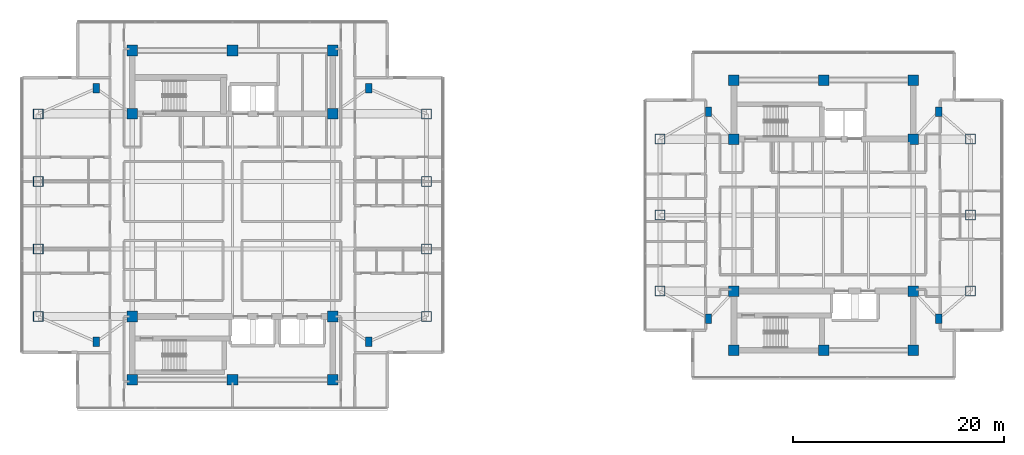
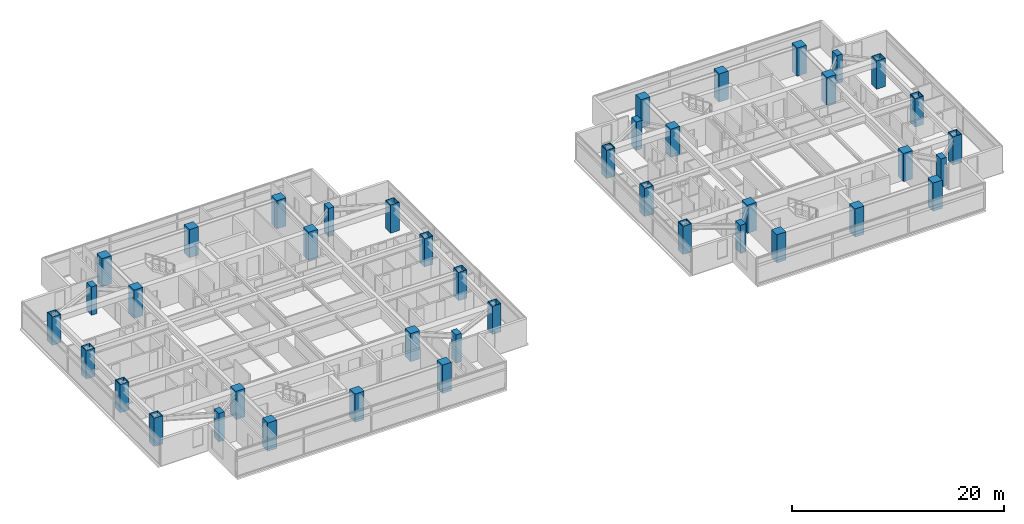
# One storey, part 1 of 24: 42 columns.
"""IFC4 building model written with IfcOpenShell, lengths in metres."""

from ifc_helpers import new_model, si_unit, direction, frame, origin, origin_2d, place, context, subcontext, project, spatial, rectangle, hollow_rectangle, extrude, material, material_profile, profile_set, type_object, element, save


model = new_model("IFC4")

# Units and contexts
model_context = context("Model", 3, precision=1e-05, world=origin(), true_north=direction((0.0, 1.0)))
body_context = subcontext(model_context, "Body", "Model", "MODEL_VIEW")
ifc_project = project(units=[si_unit("LENGTHUNIT", "METRE"), si_unit("AREAUNIT", "SQUARE_METRE"), si_unit("VOLUMEUNIT", "CUBIC_METRE"), si_unit("PLANEANGLEUNIT", "RADIAN"), si_unit("MASSUNIT", "GRAM", prefix="KILO")], contexts=[model_context])

# Site, building, storey
site_placement = place(None, origin())
site = spatial("IfcSite", under=ifc_project, at=site_placement, CompositionType="ELEMENT")
building_placement = place(site_placement, origin())
building = spatial("IfcBuilding", under=site, at=building_placement, Name="Mirazonda Arch Towers", CompositionType="ELEMENT")
storey_placement = place(building_placement, frame((0.0, 0.0, 157.64990234375)))
storey = spatial("IfcBuildingStorey", under=building, at=storey_placement, Name="L44", CompositionType="ELEMENT", Elevation=157.64990234375)

# Columns
ifc_material_1 = material(Name="Concrete C50/60", Category="concrete")
ifc_material_profile_1 = material_profile(ifc_material_1, rectangle(XDim=1.0, YDim=1.0, at=origin_2d()), Name="RC1000x1000")
ifc_profile_set_1 = profile_set([ifc_material_profile_1], Name="Concrete C50/60")
column_type_1 = type_object("IfcColumnType", Name="COL-INT-RC1000x1000", PredefinedType="COLUMN", material=ifc_profile_set_1)
for number, where, z_axis, x_axis, name in (
    (1, (11.0, 12.39990234375, 0.0), (0.0, 0.0, 1.0), (1.0, 0.0, 0.0), "L44 T1 Core Column 01"),
    (2, (20.5, 12.39990234375, 0.0), (0.0, 0.0, 1.0), (1.0, 0.0, 0.0), "L44 T1 Core Column 02"),
    (3, (30.0, 12.39990234375, 0.0), (0.0, 0.0, 1.0), (1.0, 0.0, 0.0), "L44 T1 Core Column 03"),
    (4, (11.0, 18.39990234375, 0.0), (0.0, 0.0, 1.0), (1.0, 0.0, 0.0), "L44 T1 Core Column 04"),
    (5, (30.0, 18.39990234375, 0.0), (0.0, 0.0, 1.0), (1.0, 0.0, 0.0), "L44 T1 Core Column 05"),
    (6, (11.0, 37.60009765625, 0.0), (0.0, 0.0, 1.0), (1.0, 0.0, 0.0), "L44 T1 Core Column 06"),
    (7, (30.0, 37.60009765625, 0.0), (0.0, 0.0, 1.0), (1.0, 0.0, 0.0), "L44 T1 Core Column 07"),
    (8, (11.0, 43.60009765625, 0.0), (0.0, 0.0, 1.0), (1.0, 0.0, 0.0), "L44 T1 Core Column 08"),
    (9, (20.5, 43.60009765625, 0.0), (0.0, 0.0, 1.0), (1.0, 0.0, 0.0), "L44 T1 Core Column 09"),
    (10, (30.0, 43.60009765625, 0.0), (0.0, 0.0, 1.0), (1.0, 0.0, 0.0), "L44 T1 Core Column 10"),
    (11, (68.0, 15.199951171875, 0.0), (0.0, 0.0, 1.0), (1.0, 0.0, 0.0), "L44 T2 Core Column 01"),
    (12, (76.5, 15.199951171875, 0.0), (0.0, 0.0, 1.0), (1.0, 0.0, 0.0), "L44 T2 Core Column 02"),
    (13, (85.0, 15.199951171875, 0.0), (0.0, 0.0, 1.0), (1.0, 0.0, 0.0), "L44 T2 Core Column 03"),
    (14, (68.0, 20.800048828125, 0.0), (0.0, 0.0, 1.0), (1.0, 0.0, 0.0), "L44 T2 Core Column 04"),
    (15, (85.0, 20.800048828125, 0.0), (0.0, 0.0, 1.0), (1.0, 0.0, 0.0), "L44 T2 Core Column 05"),
    (16, (68.0, 35.199951171875, 0.0), (0.0, 0.0, 1.0), (1.0, 0.0, 0.0), "L44 T2 Core Column 06"),
    (17, (85.0, 35.199951171875, 0.0), (0.0, 0.0, 1.0), (1.0, 0.0, 0.0), "L44 T2 Core Column 07"),
    (18, (68.0, 40.800048828125, 0.0), (0.0, 0.0, 1.0), (1.0, 0.0, 0.0), "L44 T2 Core Column 08"),
    (19, (76.5, 40.800048828125, 0.0), (0.0, 0.0, 1.0), (1.0, 0.0, 0.0), "L44 T2 Core Column 09"),
    (20, (85.0, 40.800048828125, 0.0), (0.0, 0.0, 1.0), (1.0, 0.0, 0.0), "L44 T2 Core Column 10"),
):
    element("IfcColumn", number, at=place(storey_placement, frame(where, z_axis=z_axis, x_axis=x_axis)), inside=storey, type_object=column_type_1, Name=name, PredefinedType="COLUMN", context=body_context, shape_type="SweptSolid", body=[
        extrude(rectangle(XDim=1.0, YDim=1.0, at=origin_2d()), origin(), (0.0, 0.0, 1.0), 3.25),
    ])
ifc_material_2 = material(Name="Steel ASTM A572 Grade 50", Category="steel")
ifc_material_profile_2 = material_profile(ifc_material_2, hollow_rectangle(XDim=0.949951171875, YDim=0.949951171875, WallThickness=0.050048828125, at=origin_2d()), Name="BOX950x950x50")
ifc_profile_set_2 = profile_set([ifc_material_profile_2], Name="Steel ASTM A572 Grade 50")
column_type_2 = type_object("IfcColumnType", Name="MCOL-EXT-BOX950x950x50", PredefinedType="COLUMN", material=ifc_profile_set_2)
for number, where, z_axis, x_axis, name in (
    (21, (2.10009765625, 18.39990234375, 0.0), (0.0, 0.0, 1.0), (1.0, 0.0, 0.0), "L44 T1 Composite Mega-Column 01"),
    (22, (2.10009765625, 24.800048828125, 0.0), (0.0, 0.0, 1.0), (1.0, 0.0, 0.0), "L44 T1 Composite Mega-Column 02"),
    (23, (2.10009765625, 31.199951171875, 0.0), (0.0, 0.0, 1.0), (1.0, 0.0, 0.0), "L44 T1 Composite Mega-Column 03"),
    (24, (2.10009765625, 37.60009765625, 0.0), (0.0, 0.0, 1.0), (1.0, 0.0, 0.0), "L44 T1 Composite Mega-Column 04"),
    (25, (38.89990234375, 18.39990234375, 0.0), (0.0, 0.0, 1.0), (1.0, 0.0, 0.0), "L44 T1 Composite Mega-Column 05"),
    (26, (38.89990234375, 24.800048828125, 0.0), (0.0, 0.0, 1.0), (1.0, 0.0, 0.0), "L44 T1 Composite Mega-Column 06"),
    (27, (38.89990234375, 31.199951171875, 0.0), (0.0, 0.0, 1.0), (1.0, 0.0, 0.0), "L44 T1 Composite Mega-Column 07"),
    (28, (38.89990234375, 37.60009765625, 0.0), (0.0, 0.0, 1.0), (1.0, 0.0, 0.0), "L44 T1 Composite Mega-Column 08"),
    (29, (61.0, 20.800048828125, 0.0), (0.0, 0.0, 1.0), (1.0, 0.0, 0.0), "L44 T2 Composite Mega-Column 01"),
    (30, (61.0, 28.0, 0.0), (0.0, 0.0, 1.0), (1.0, 0.0, 0.0), "L44 T2 Composite Mega-Column 02"),
    (31, (61.0, 35.199951171875, 0.0), (0.0, 0.0, 1.0), (1.0, 0.0, 0.0), "L44 T2 Composite Mega-Column 03"),
    (32, (90.39990234375, 20.800048828125, 0.0), (0.0, 0.0, 1.0), (1.0, 0.0, 0.0), "L44 T2 Composite Mega-Column 04"),
    (33, (90.39990234375, 28.0, 0.0), (0.0, 0.0, 1.0), (1.0, 0.0, 0.0), "L44 T2 Composite Mega-Column 05"),
    (34, (90.39990234375, 35.199951171875, 0.0), (0.0, 0.0, 1.0), (1.0, 0.0, 0.0), "L44 T2 Composite Mega-Column 06"),
):
    element("IfcColumn", number, at=place(storey_placement, frame(where, z_axis=z_axis, x_axis=x_axis)), inside=storey, type_object=column_type_2, Name=name, PredefinedType="COLUMN", context=body_context, shape_type="SweptSolid", body=[
        extrude(hollow_rectangle(XDim=0.949951171875, YDim=0.949951171875, WallThickness=0.050048828125, at=origin_2d()), origin(), (0.0, 0.0, 1.0), 3.25),
    ])
ifc_material_profile_3 = material_profile(ifc_material_1, rectangle(XDim=0.60009765625, YDim=0.89990234375, at=origin_2d()), Name="RC900x600")
ifc_profile_set_3 = profile_set([ifc_material_profile_3], Name="Concrete C50/60")
column_type_3 = type_object("IfcColumnType", Name="PIL-EXT-RC900x600", PredefinedType="PILASTER", material=ifc_profile_set_3)
for number, where, z_axis, x_axis, name in (
    (35, (7.60009765625, 16.0, 0.0), (0.0, 0.0, 1.0), (1.0, 0.0, 0.0), "L44 T1 Corner Pilaster 01"),
    (36, (33.39990234375, 16.0, 0.0), (0.0, 0.0, 1.0), (1.0, 0.0, 0.0), "L44 T1 Corner Pilaster 02"),
    (37, (7.60009765625, 40.0, 0.0), (0.0, 0.0, 1.0), (1.0, 0.0, 0.0), "L44 T1 Corner Pilaster 03"),
    (38, (33.39990234375, 40.0, 0.0), (0.0, 0.0, 1.0), (1.0, 0.0, 0.0), "L44 T1 Corner Pilaster 04"),
    (39, (65.60009765625, 18.199951171875, 0.0), (0.0, 0.0, 1.0), (1.0, 0.0, 0.0), "L44 T2 Corner Pilaster 01"),
    (40, (87.39990234375, 18.199951171875, 0.0), (0.0, 0.0, 1.0), (1.0, 0.0, 0.0), "L44 T2 Corner Pilaster 02"),
    (41, (65.60009765625, 37.800048828125, 0.0), (0.0, 0.0, 1.0), (1.0, 0.0, 0.0), "L44 T2 Corner Pilaster 03"),
    (42, (87.39990234375, 37.800048828125, 0.0), (0.0, 0.0, 1.0), (1.0, 0.0, 0.0), "L44 T2 Corner Pilaster 04"),
):
    element("IfcColumn", number, at=place(storey_placement, frame(where, z_axis=z_axis, x_axis=x_axis)), inside=storey, type_object=column_type_3, Name=name, PredefinedType="PILASTER", context=body_context, shape_type="SweptSolid", body=[
        extrude(rectangle(XDim=0.60009765625, YDim=0.89990234375, at=origin_2d()), origin(), (0.0, 0.0, 1.0), 3.25),
    ])

save(model, "model.ifc")
